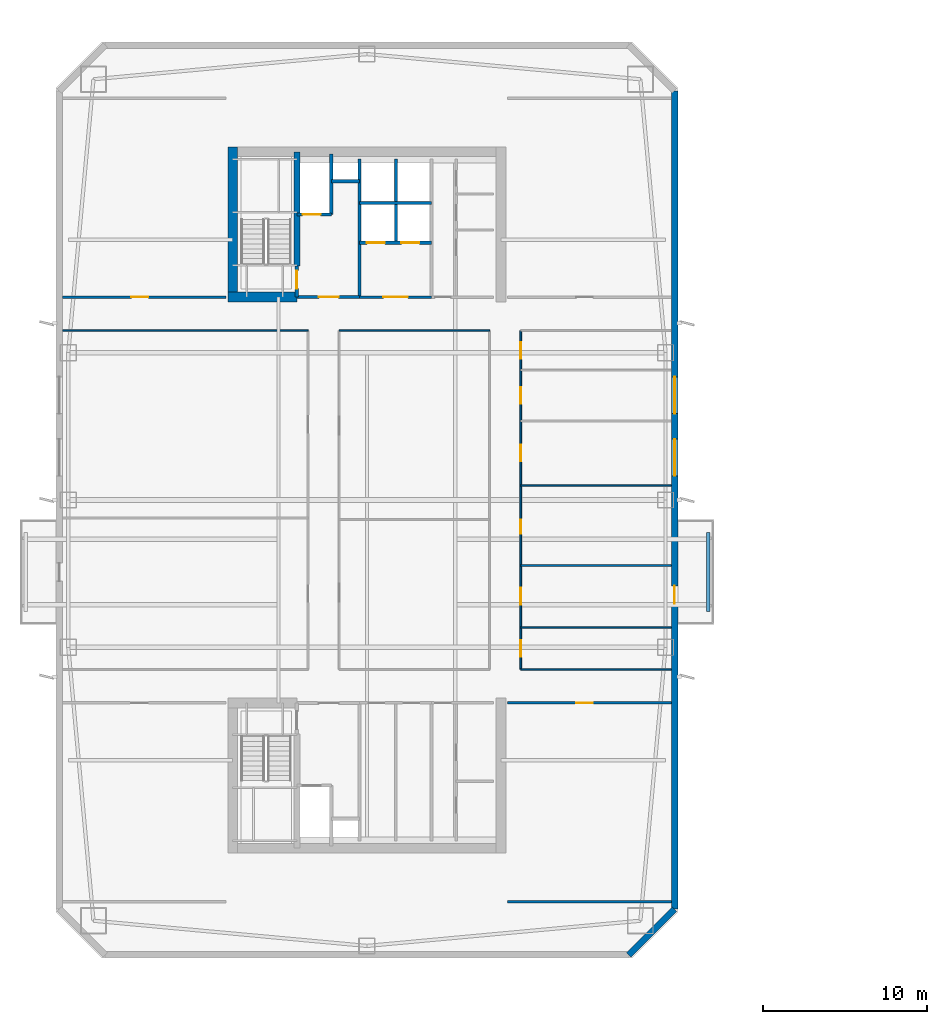
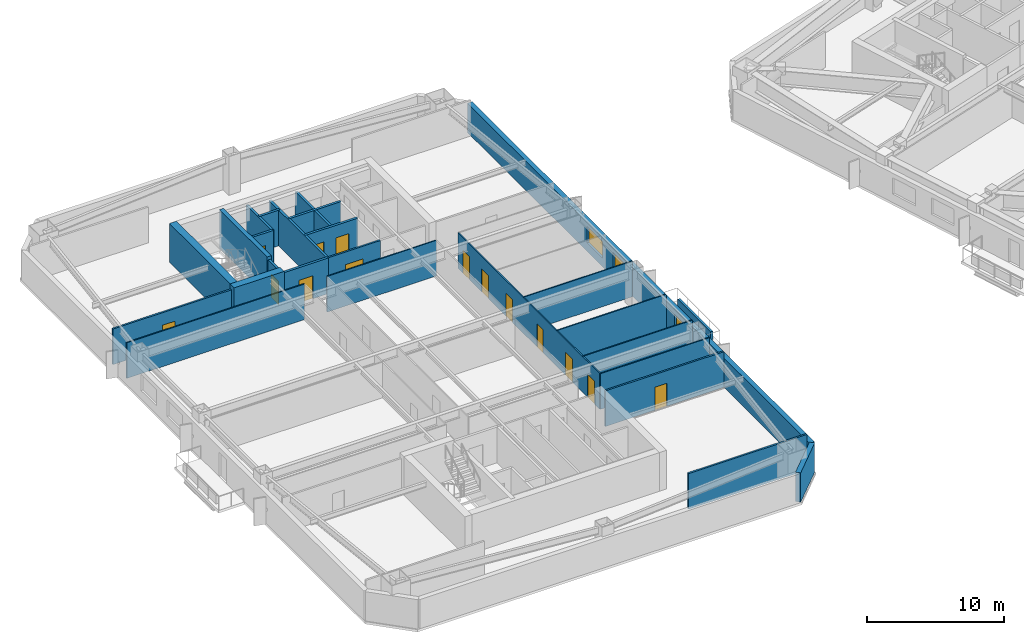
# One storey, part 6 of 17: 26 walls, 15 doors, 2 windows, 17 openings.
"""IFC4 building model written with IfcOpenShell, lengths in metres."""

from ifc_helpers import new_model, si_unit, direction, frame, frame_2d, origin, place, context, subcontext, project, spatial, rectangle, extrude, material, layer, layer_set, type_object, element, fill, save


model = new_model("IFC4")

# Units and contexts
model_context = context("Model", 3, precision=1e-05, world=origin(), true_north=direction((0.0, 1.0)))
body_context = subcontext(model_context, "Body", "Model", "MODEL_VIEW")
ifc_project = project(units=[si_unit("LENGTHUNIT", "METRE"), si_unit("AREAUNIT", "SQUARE_METRE"), si_unit("VOLUMEUNIT", "CUBIC_METRE"), si_unit("PLANEANGLEUNIT", "RADIAN"), si_unit("MASSUNIT", "GRAM", prefix="KILO")], contexts=[model_context])

# Site, building, storey
site_placement = place(None, origin())
site = spatial("IfcSite", under=ifc_project, at=site_placement, CompositionType="ELEMENT")
building_placement = place(site_placement, origin())
building = spatial("IfcBuilding", under=site, at=building_placement, Name="Qiaolan Cultural Towers", CompositionType="ELEMENT")
storey_placement = place(building_placement, frame((0.0, 0.0, 131.10009765625)))
storey = spatial("IfcBuildingStorey", under=building, at=storey_placement, Name="L34", CompositionType="ELEMENT", Elevation=131.10009765625)

# Walls
ifc_material_1 = material(Name="Concrete C50", Category="concrete")
ifc_layer_1 = layer(ifc_material_1, 0.35009765625)
ifc_layer_set_1 = layer_set([ifc_layer_1], Name="Concrete C50")
wall_type_1 = type_object("IfcWallType", Name="WL-CORE-350", PredefinedType="SHEAR", material=ifc_layer_set_1)
wall_1_placement = place(storey_placement, frame((25.719970703125, 48.300048828125, 0.0), z_axis=(0.0, 0.0, 1.0), x_axis=(0.0, 1.0, 0.0)))
element("IfcWall", 1, at=wall_1_placement, inside=storey, type_object=wall_type_1, Name="L34 T1-CN Stair Core Dividing Web", PredefinedType="SHEAR", context=body_context, shape_type="SweptSolid", body=[
    extrude(rectangle(XDim=6.97998046875, YDim=0.35009765625, at=frame_2d((3.489990234375, 0.0))), origin(), (0.0, 0.0, 1.0), 3.449951171875),
])
ifc_material_2 = material(Name="Concrete C55", Category="concrete")
ifc_layer_2 = layer(ifc_material_2, 0.60009765625)
ifc_layer_set_2 = layer_set([ifc_layer_2], Name="Concrete C55")
wall_type_2 = type_object("IfcWallType", Name="WL-CORE-600", PredefinedType="SHEAR", material=ifc_layer_set_2)
wall_2_placement = place(storey_placement, frame((21.800048828125, 46.10009765625, 0.0), z_axis=(0.0, 0.0, 1.0), x_axis=(0.0, 1.0, 0.0)))
element("IfcWall", 2, at=wall_2_placement, inside=storey, type_object=wall_type_2, Name="L34 T1-CN West Core Shear Wall", PredefinedType="SHEAR", context=body_context, shape_type="SweptSolid", body=[
    extrude(rectangle(XDim=9.47998046875, YDim=0.60009765625, at=frame_2d((4.739990234375, 0.0))), origin(), (0.0, 0.0, 1.0), 3.449951171875),
])
wall_3_placement = place(storey_placement, frame((21.5, 46.39990234375, 0.0), z_axis=(0.0, 0.0, 1.0), x_axis=(1.0, 0.0, 0.0)))
element("IfcWall", 3, at=wall_3_placement, inside=storey, type_object=wall_type_2, Name="L34 T1-CN Stair Front Shear Wall", PredefinedType="SHEAR", context=body_context, shape_type="SweptSolid", body=[
    extrude(rectangle(XDim=4.219970703125, YDim=0.60009765625, at=frame_2d((2.10986328125, 0.0))), origin(), (0.0, 0.0, 1.0), 3.449951171875),
])

# Wall, openings, door, windows
ifc_material_3 = material(Name="Precast Concrete C50 Honed Stone Pier", Category="masonry")
ifc_layer_3 = layer(ifc_material_3, 0.39990234375)
ifc_layer_set_3 = layer_set([ifc_layer_3], Name="Precast Concrete C50 Honed Stone Pier")
wall_type_3 = type_object("IfcWallType", Name="WL-EXT-PIER-400", PredefinedType="SOLIDWALL", material=ifc_layer_set_3)
wall_4_placement = place(storey_placement, frame((48.800048828125, 59.0, 0.0), z_axis=(0.0, 0.0, 1.0), x_axis=(0.0, -1.0, 0.0)))
wall_4 = element("IfcWall", 4, at=wall_4_placement, inside=storey, type_object=wall_type_3, Name="L34 West Tower Precast Pier Facade Wall F5", PredefinedType="SOLIDWALL", context=body_context, shape_type="SweptSolid", body=[
    extrude(rectangle(XDim=50.0, YDim=0.39990234375, at=frame_2d((25.0, 0.0))), origin(), (0.0, 0.0, 1.0), 2.60986328125),
])
opening_1_placement = place(wall_4_placement, frame((21.27490234375, 0.0, 0.75)))
opening_1 = element("IfcOpeningElement", 5, at=opening_1_placement, cuts=wall_4, Name="Opening W-03", PredefinedType="OPENING", context=body_context, shape_type="SweptSolid", body=[
    extrude(rectangle(XDim=2.25, YDim=1.4599609375, at=frame_2d((1.125, 0.72998046875))), frame((0.0, 0.2099609375, 0.0), z_axis=(0.0, -1.0, 0.0), x_axis=(1.0, 0.0, 0.0)), (0.0, 0.0, 1.0), 0.419921875),
])
opening_2_placement = place(wall_4_placement, frame((17.47509765625, 0.0, 0.75)))
opening_2 = element("IfcOpeningElement", 6, at=opening_2_placement, cuts=wall_4, Name="Opening W-03", PredefinedType="OPENING", context=body_context, shape_type="SweptSolid", body=[
    extrude(rectangle(XDim=2.25, YDim=1.4599609375, at=frame_2d((1.125, 0.72998046875))), frame((0.0, 0.2099609375, 0.0), z_axis=(0.0, -1.0, 0.0), x_axis=(1.0, 0.0, 0.0)), (0.0, 0.0, 1.0), 0.419921875),
])
opening_3_placement = place(wall_4_placement, frame((30.25, 0.0, 0.0)))
opening_3 = element("IfcOpeningElement", 7, at=opening_3_placement, cuts=wall_4, Name="Opening BD-01", PredefinedType="OPENING", context=body_context, shape_type="SweptSolid", body=[
    extrude(rectangle(XDim=1.10009765625, YDim=2.14990234375, at=frame_2d((0.550048828125, 1.074951171875))), frame((0.0, 0.2099609375, 0.0), z_axis=(0.0, -1.0, 0.0), x_axis=(1.0, 0.0, 0.0)), (0.0, 0.0, 1.0), 0.419921875),
])
ifc_material_4 = material(Name="Thermally Broken Aluminium Glazed Terrace Door", Category="aluminium")
door_type_1 = type_object("IfcDoorType", Name="DR-BAL-1100", OperationType="NOTDEFINED", PredefinedType="DOOR", material=ifc_material_4)
door_1_placement = place(opening_3_placement, origin())
door_1 = element("IfcDoor", 8, at=door_1_placement, inside=storey, type_object=door_type_1, Name="L34 T1 East Tree Balcony Door", OperationType="SINGLE_SWING_RIGHT", OverallHeight=2.14990234375, OverallWidth=1.10009765625, PredefinedType="DOOR", context=body_context, shape_type="SweptSolid", body=[
    extrude(rectangle(XDim=1.10009765625, YDim=2.14990234375, at=frame_2d((0.550048828125, 1.074951171875))), frame((0.0, 0.02490234375, 0.0), z_axis=(0.0, -1.0, 0.0), x_axis=(1.0, 0.0, 0.0)), (0.0, 0.0, 1.0), 0.050048828125),
])
fill(opening_3, door_1)
ifc_material_5 = material(Name="Thermally Broken Aluminium Triple Low-E Glazing", Category="aluminium")
window_type = type_object("IfcWindowType", Name="WN-CHIC-2250", PartitioningType="SINGLE_PANEL", PredefinedType="WINDOW", material=ifc_material_5)
window_1_placement = place(opening_1_placement, origin())
window_1 = element("IfcWindow", 9, at=window_1_placement, inside=storey, type_object=window_type, Name="L34 T1 E Chicago Bay Window 1", OverallHeight=1.4599609375, OverallWidth=2.25, PartitioningType="TRIPLE_PANEL_VERTICAL", PredefinedType="WINDOW", context=body_context, shape_type="SweptSolid", body=[
    extrude(rectangle(XDim=2.25, YDim=1.4599609375, at=frame_2d((1.125, 0.72998046875))), frame((0.0, 0.030029296875, 0.0), z_axis=(0.0, -1.0, 0.0), x_axis=(1.0, 0.0, 0.0)), (0.0, 0.0, 1.0), 0.06005859375),
])
fill(opening_1, window_1)
window_2_placement = place(opening_2_placement, origin())
window_2 = element("IfcWindow", 10, at=window_2_placement, inside=storey, type_object=window_type, Name="L34 T1 E Chicago Bay Window 2", OverallHeight=1.4599609375, OverallWidth=2.25, PartitioningType="TRIPLE_PANEL_VERTICAL", PredefinedType="WINDOW", context=body_context, shape_type="SweptSolid", body=[
    extrude(rectangle(XDim=2.25, YDim=1.4599609375, at=frame_2d((1.125, 0.72998046875))), frame((0.0, 0.030029296875, 0.0), z_axis=(0.0, -1.0, 0.0), x_axis=(1.0, 0.0, 0.0)), (0.0, 0.0, 1.0), 0.06005859375),
])
fill(opening_2, window_2)

# Wall
wall_5_placement = place(storey_placement, frame((48.800048828125, 9.0, 0.0), z_axis=(0.0, 0.0, 1.0), x_axis=(-0.707106781187, -0.707106781187, 0.0)))
element("IfcWall", 11, at=wall_5_placement, inside=storey, type_object=wall_type_3, Name="L34 West Tower Precast Pier Facade Wall F6", PredefinedType="SOLIDWALL", context=body_context, shape_type="SweptSolid", body=[
    extrude(rectangle(XDim=3.9599609375, YDim=0.39990234375, at=frame_2d((1.97998046875, 0.0))), origin(), (0.0, 0.0, 1.0), 2.60986328125),
])

# Wall, opening, door
ifc_material_6 = material(Name="Concrete C35 Fire Wall", Category="concrete")
ifc_layer_4 = layer(ifc_material_6, 0.199951171875)
ifc_layer_set_4 = layer_set([ifc_layer_4], Name="Concrete C35 Fire Wall")
wall_type_4 = type_object("IfcWallType", Name="WL-FIRE-200", PredefinedType="PARTITIONING", material=ifc_layer_set_4)
wall_6_placement = place(storey_placement, frame((25.719970703125, 46.39990234375, 0.0), z_axis=(0.0, 0.0, 1.0), x_axis=(0.0, 1.0, 0.0)))
wall_6 = element("IfcWall", 12, at=wall_6_placement, inside=storey, type_object=wall_type_4, Name="L34 T1-CN Smokeproof Stair Entry Wall", PredefinedType="PARTITIONING", context=body_context, shape_type="SweptSolid", body=[
    extrude(rectangle(XDim=1.900146484375, YDim=0.199951171875, at=frame_2d((0.9501953125, 0.0))), origin(), (0.0, 0.0, 1.0), 3.1748046875),
])
opening_4_placement = place(wall_6_placement, frame((0.52001953125, 0.0, 0.0)))
opening_4 = element("IfcOpeningElement", 13, at=opening_4_placement, cuts=wall_6, Name="Opening FD-04", PredefinedType="OPENING", context=body_context, shape_type="SweptSolid", body=[
    extrude(rectangle(XDim=1.10009765625, YDim=2.050048828125, at=frame_2d((0.550048828125, 1.02490234375))), frame((0.0, 0.10986328125, 0.0), z_axis=(0.0, -1.0, 0.0), x_axis=(1.0, 0.0, 0.0)), (0.0, 0.0, 1.0), 0.219970703125),
])
ifc_material_7 = material(Name="Galvanized Steel Command Fire Door", Category="steel")
door_type_2 = type_object("IfcDoorType", Name="DR-FD90-1100", OperationType="NOTDEFINED", PredefinedType="DOOR", material=ifc_material_7)
door_2_placement = place(opening_4_placement, origin())
door_2 = element("IfcDoor", 14, at=door_2_placement, inside=storey, type_object=door_type_2, Name="L34 ST-W2 Smokeproof Stair Fire Door", OperationType="SINGLE_SWING_LEFT", OverallHeight=2.050048828125, OverallWidth=1.10009765625, PredefinedType="DOOR", context=body_context, shape_type="SweptSolid", body=[
    extrude(rectangle(XDim=1.10009765625, YDim=2.050048828125, at=frame_2d((0.550048828125, 1.02490234375))), frame((0.0, 0.02490234375, 0.0), z_axis=(0.0, -1.0, 0.0), x_axis=(1.0, 0.0, 0.0)), (0.0, 0.0, 1.0), 0.050048828125),
])
fill(opening_4, door_2)

# Wall
wall_7_placement = place(storey_placement, frame((29.550048828125, 46.39990234375, 0.0), z_axis=(0.0, 0.0, 1.0), x_axis=(0.0, 1.0, 0.0)))
element("IfcWall", 15, at=wall_7_placement, inside=storey, type_object=wall_type_4, Name="L34 T1-CN Firefighting Zone Wall", PredefinedType="PARTITIONING", context=body_context, shape_type="SweptSolid", body=[
    extrude(rectangle(XDim=8.43017578125, YDim=0.199951171875, at=frame_2d((4.215087890625, 0.0))), origin(), (0.0, 0.0, 1.0), 3.1748046875),
])

# Wall, opening, door
wall_8_placement = place(storey_placement, frame((25.719970703125, 46.39990234375, 0.0), z_axis=(0.0, 0.0, 1.0), x_axis=(1.0, 0.0, 0.0)))
wall_8 = element("IfcWall", 16, at=wall_8_placement, inside=storey, type_object=wall_type_4, Name="L34 T1-CN Firefighting Lobby Front Wall", PredefinedType="PARTITIONING", context=body_context, shape_type="SweptSolid", body=[
    extrude(rectangle(XDim=3.830078125, YDim=0.199951171875, at=frame_2d((1.9150390625, 0.0))), origin(), (0.0, 0.0, 1.0), 3.1748046875),
])
opening_5_placement = place(wall_8_placement, frame((1.35009765625, 0.0, 0.0)))
opening_5 = element("IfcOpeningElement", 17, at=opening_5_placement, cuts=wall_8, Name="Opening FD-03", PredefinedType="OPENING", context=body_context, shape_type="SweptSolid", body=[
    extrude(rectangle(XDim=1.199951171875, YDim=2.050048828125, at=frame_2d((0.60009765625, 1.02490234375))), frame((0.0, 0.10986328125, 0.0), z_axis=(0.0, -1.0, 0.0), x_axis=(1.0, 0.0, 0.0)), (0.0, 0.0, 1.0), 0.219970703125),
])
ifc_material_8 = material(Name="Galvanized Steel Smokeproof Lobby Fire Door", Category="steel")
door_type_3 = type_object("IfcDoorType", Name="DR-FD90-1200", OperationType="NOTDEFINED", PredefinedType="DOOR", material=ifc_material_8)
door_3_placement = place(opening_5_placement, origin())
door_3 = element("IfcDoor", 18, at=door_3_placement, inside=storey, type_object=door_type_3, Name="L34 FFL-W2 Firefighting Lobby Fire Door", OperationType="SINGLE_SWING_LEFT", OverallHeight=2.050048828125, OverallWidth=1.199951171875, PredefinedType="DOOR", context=body_context, shape_type="SweptSolid", body=[
    extrude(rectangle(XDim=1.199951171875, YDim=2.050048828125, at=frame_2d((0.60009765625, 1.02490234375))), frame((0.0, 0.02490234375, 0.0), z_axis=(0.0, -1.0, 0.0), x_axis=(1.0, 0.0, 0.0)), (0.0, 0.0, 1.0), 0.050048828125),
])
fill(opening_5, door_3)

wall_9_placement = place(storey_placement, frame((25.719970703125, 51.449951171875, 0.0), z_axis=(0.0, 0.0, 1.0), x_axis=(1.0, 0.0, 0.0)))
wall_9 = element("IfcWall", 19, at=wall_9_placement, inside=storey, type_object=wall_type_4, Name="L34 T1-CN Firefighting Shaft Front Wall", PredefinedType="PARTITIONING", context=body_context, shape_type="SweptSolid", body=[
    extrude(rectangle(XDim=2.10009765625, YDim=0.199951171875, at=frame_2d((1.050048828125, 0.0))), origin(), (0.0, 0.0, 1.0), 3.1748046875),
])
opening_6_placement = place(wall_9_placement, frame((0.35009765625, 0.0, 0.0)))
opening_6 = element("IfcOpeningElement", 20, at=opening_6_placement, cuts=wall_9, Name="Opening LD-01", PredefinedType="OPENING", context=body_context, shape_type="SweptSolid", body=[
    extrude(rectangle(XDim=1.10009765625, YDim=2.050048828125, at=frame_2d((0.550048828125, 1.02490234375))), frame((0.0, 0.10986328125, 0.0), z_axis=(0.0, -1.0, 0.0), x_axis=(1.0, 0.0, 0.0)), (0.0, 0.0, 1.0), 0.219970703125),
])
ifc_material_9 = material(Name="Brushed Stainless Steel S30408 Centre-Parting Lift Landing Door", Category="steel")
door_type_4 = type_object("IfcDoorType", Name="DR-LIFT-1100", OperationType="NOTDEFINED", PredefinedType="DOOR", material=ifc_material_9)
door_4_placement = place(opening_6_placement, origin())
door_4 = element("IfcDoor", 21, at=door_4_placement, inside=storey, type_object=door_type_4, Name="L34 FFL-W2 Firefighting Lift Landing Door", OperationType="DOUBLE_DOOR_SLIDING", OverallHeight=2.050048828125, OverallWidth=1.10009765625, PredefinedType="DOOR", context=body_context, shape_type="SweptSolid", body=[
    extrude(rectangle(XDim=1.10009765625, YDim=2.050048828125, at=frame_2d((0.550048828125, 1.02490234375))), frame((0.0, 0.02490234375, 0.0), z_axis=(0.0, -1.0, 0.0), x_axis=(1.0, 0.0, 0.0)), (0.0, 0.0, 1.0), 0.050048828125),
])
fill(opening_6, door_4)

# Walls
wall_10_placement = place(storey_placement, frame((27.820068359375, 51.449951171875, 0.0), z_axis=(0.0, 0.0, 1.0), x_axis=(0.0, 1.0, 0.0)))
element("IfcWall", 22, at=wall_10_placement, inside=storey, type_object=wall_type_4, Name="L34 T1-CN Firefighting Hoistway East Wall", PredefinedType="PARTITIONING", context=body_context, shape_type="SweptSolid", body=[
    extrude(rectangle(XDim=3.699951171875, YDim=0.199951171875, at=frame_2d((1.85009765625, 0.0))), origin(), (0.0, 0.0, 1.0), 3.1748046875),
])
wall_11_placement = place(storey_placement, frame((27.820068359375, 53.47998046875, 0.0), z_axis=(0.0, 0.0, 1.0), x_axis=(1.0, 0.0, 0.0)))
element("IfcWall", 23, at=wall_11_placement, inside=storey, type_object=wall_type_4, Name="L34 T1-CN Pressurization Shaft Front Wall", PredefinedType="PARTITIONING", context=body_context, shape_type="SweptSolid", body=[
    extrude(rectangle(XDim=1.72998046875, YDim=0.199951171875, at=frame_2d((0.864990234375, 0.0))), origin(), (0.0, 0.0, 1.0), 3.1748046875),
])

# Wall, openings, doors
wall_12_placement = place(storey_placement, frame((29.550048828125, 49.719970703125, 0.0), z_axis=(0.0, 0.0, 1.0), x_axis=(1.0, 0.0, 0.0)))
wall_12 = element("IfcWall", 24, at=wall_12_placement, inside=storey, type_object=wall_type_4, Name="L34 T1-CN Passenger Lift Shaft Front Wall", PredefinedType="PARTITIONING", context=body_context, shape_type="SweptSolid", body=[
    extrude(rectangle(XDim=4.39990234375, YDim=0.199951171875, at=frame_2d((2.199951171875, 0.0))), origin(), (0.0, 0.0, 1.0), 3.1748046875),
])
opening_7_placement = place(wall_12_placement, frame((0.449951171875, 0.0, 0.0)))
opening_7 = element("IfcOpeningElement", 25, at=opening_7_placement, cuts=wall_12, Name="Opening LD-01", PredefinedType="OPENING", context=body_context, shape_type="SweptSolid", body=[
    extrude(rectangle(XDim=1.10009765625, YDim=2.050048828125, at=frame_2d((0.550048828125, 1.02490234375))), frame((0.0, 0.10986328125, 0.0), z_axis=(0.0, -1.0, 0.0), x_axis=(1.0, 0.0, 0.0)), (0.0, 0.0, 1.0), 0.219970703125),
])
opening_8_placement = place(wall_12_placement, frame((2.550048828125, 0.0, 0.0)))
opening_8 = element("IfcOpeningElement", 26, at=opening_8_placement, cuts=wall_12, Name="Opening LD-01", PredefinedType="OPENING", context=body_context, shape_type="SweptSolid", body=[
    extrude(rectangle(XDim=1.10009765625, YDim=2.050048828125, at=frame_2d((0.550048828125, 1.02490234375))), frame((0.0, 0.10986328125, 0.0), z_axis=(0.0, -1.0, 0.0), x_axis=(1.0, 0.0, 0.0)), (0.0, 0.0, 1.0), 0.219970703125),
])
door_5_placement = place(opening_7_placement, origin())
door_5 = element("IfcDoor", 27, at=door_5_placement, inside=storey, type_object=door_type_4, Name="L34 Passenger Lift 1 Landing Door", OperationType="DOUBLE_DOOR_SLIDING", OverallHeight=2.050048828125, OverallWidth=1.10009765625, PredefinedType="DOOR", context=body_context, shape_type="SweptSolid", body=[
    extrude(rectangle(XDim=1.10009765625, YDim=2.050048828125, at=frame_2d((0.550048828125, 1.02490234375))), frame((0.0, 0.02490234375, 0.0), z_axis=(0.0, -1.0, 0.0), x_axis=(1.0, 0.0, 0.0)), (0.0, 0.0, 1.0), 0.050048828125),
])
fill(opening_7, door_5)
door_6_placement = place(opening_8_placement, origin())
door_6 = element("IfcDoor", 28, at=door_6_placement, inside=storey, type_object=door_type_4, Name="L34 Passenger Lift 2 Landing Door", OperationType="DOUBLE_DOOR_SLIDING", OverallHeight=2.050048828125, OverallWidth=1.10009765625, PredefinedType="DOOR", context=body_context, shape_type="SweptSolid", body=[
    extrude(rectangle(XDim=1.10009765625, YDim=2.050048828125, at=frame_2d((0.550048828125, 1.02490234375))), frame((0.0, 0.02490234375, 0.0), z_axis=(0.0, -1.0, 0.0), x_axis=(1.0, 0.0, 0.0)), (0.0, 0.0, 1.0), 0.050048828125),
])
fill(opening_8, door_6)

# Walls
wall_13_placement = place(storey_placement, frame((31.780029296875, 49.719970703125, 0.0), z_axis=(0.0, 0.0, 1.0), x_axis=(0.0, 1.0, 0.0)))
element("IfcWall", 29, at=wall_13_placement, inside=storey, type_object=wall_type_4, Name="L34 T1-CN Lift Shaft Divider Wall", PredefinedType="PARTITIONING", context=body_context, shape_type="SweptSolid", body=[
    extrude(rectangle(XDim=5.110107421875, YDim=0.199951171875, at=frame_2d((2.55517578125, 0.0))), origin(), (0.0, 0.0, 1.0), 3.1748046875),
])
wall_14_placement = place(storey_placement, frame((29.550048828125, 52.14990234375, 0.0), z_axis=(0.0, 0.0, 1.0), x_axis=(1.0, 0.0, 0.0)))
element("IfcWall", 30, at=wall_14_placement, inside=storey, type_object=wall_type_4, Name="L34 T1-CN Passenger Lift Shaft Back Wall", PredefinedType="PARTITIONING", context=body_context, shape_type="SweptSolid", body=[
    extrude(rectangle(XDim=4.39990234375, YDim=0.199951171875, at=frame_2d((2.199951171875, 0.0))), origin(), (0.0, 0.0, 1.0), 3.1748046875),
])
ifc_material_10 = material(Name="Acoustic Double-Glazed Partition Frame", Category="glass")
ifc_layer_5 = layer(ifc_material_10, 0.10009765625)
ifc_layer_set_5 = layer_set([ifc_layer_5], Name="Acoustic Double-Glazed Partition Frame")
wall_type_5 = type_object("IfcWallType", Name="WL-GLAZED-100", PredefinedType="MOVABLE", material=ifc_layer_set_5)
wall_15_placement = place(storey_placement, frame((39.39990234375, 23.64990234375, 0.0), z_axis=(0.0, 0.0, 1.0), x_axis=(1.0, 0.0, 0.0)))
element("IfcWall", 31, at=wall_15_placement, inside=storey, type_object=wall_type_5, Name="L34 T1 Interior Wall", PredefinedType="MOVABLE", context=body_context, shape_type="SweptSolid", body=[
    extrude(rectangle(XDim=9.2001953125, YDim=0.10009765625, at=frame_2d((4.60009765625, 0.0))), origin(), (0.0, 0.0, 1.0), 3.1748046875),
])
wall_16_placement = place(storey_placement, frame((11.39990234375, 44.35009765625, 0.0), z_axis=(0.0, 0.0, 1.0), x_axis=(1.0, 0.0, 0.0)))
element("IfcWall", 32, at=wall_16_placement, inside=storey, type_object=wall_type_5, Name="L34 T1 Interior Wall", PredefinedType="MOVABLE", context=body_context, shape_type="SweptSolid", body=[
    extrude(rectangle(XDim=15.0, YDim=0.10009765625, at=frame_2d((7.5, 0.0))), origin(), (0.0, 0.0, 1.0), 3.1748046875),
])
wall_17_placement = place(storey_placement, frame((28.300048828125, 44.35009765625, 0.0), z_axis=(0.0, 0.0, 1.0), x_axis=(1.0, 0.0, 0.0)))
element("IfcWall", 33, at=wall_17_placement, inside=storey, type_object=wall_type_5, Name="L34 T1 Interior Wall", PredefinedType="MOVABLE", context=body_context, shape_type="SweptSolid", body=[
    extrude(rectangle(XDim=9.199951171875, YDim=0.10009765625, at=frame_2d((4.60009765625, 0.0))), origin(), (0.0, 0.0, 1.0), 3.1748046875),
])

# Wall, openings, doors
wall_18_placement = place(storey_placement, frame((39.39990234375, 23.64990234375, 0.0), z_axis=(0.0, 0.0, 1.0), x_axis=(0.0, 1.0, 0.0)))
wall_18 = element("IfcWall", 34, at=wall_18_placement, inside=storey, type_object=wall_type_5, Name="L34 T1 Interior Wall", PredefinedType="MOVABLE", context=body_context, shape_type="SweptSolid", body=[
    extrude(rectangle(XDim=20.7001953125, YDim=0.10009765625, at=frame_2d((10.35009765625, 0.0))), origin(), (0.0, 0.0, 1.0), 3.1748046875),
])
opening_9_placement = place(wall_18_placement, frame((0.77490234375, 0.0, 0.0)))
opening_9 = element("IfcOpeningElement", 35, at=opening_9_placement, cuts=wall_18, Name="Opening ID-04", PredefinedType="OPENING", context=body_context, shape_type="SweptSolid", body=[
    extrude(rectangle(XDim=1.0, YDim=2.050048828125, at=frame_2d((0.5, 1.02490234375))), frame((0.0, 0.06005859375, 0.0), z_axis=(0.0, -1.0, 0.0), x_axis=(1.0, 0.0, 0.0)), (0.0, 0.0, 1.0), 0.1201171875),
])
opening_10_placement = place(wall_18_placement, frame((3.949951171875, 0.0, 0.0)))
opening_10 = element("IfcOpeningElement", 36, at=opening_10_placement, cuts=wall_18, Name="Opening ID-07", PredefinedType="OPENING", context=body_context, shape_type="SweptSolid", body=[
    extrude(rectangle(XDim=1.050048828125, YDim=2.050048828125, at=frame_2d((0.52490234375, 1.02490234375))), frame((0.0, 0.06005859375, 0.0), z_axis=(0.0, -1.0, 0.0), x_axis=(1.0, 0.0, 0.0)), (0.0, 0.0, 1.0), 0.1201171875),
])
opening_11_placement = place(wall_18_placement, frame((8.298095703125, 0.0, 0.0)))
opening_11 = element("IfcOpeningElement", 37, at=opening_11_placement, cuts=wall_18, Name="Opening ID-09", PredefinedType="OPENING", context=body_context, shape_type="SweptSolid", body=[
    extrude(rectangle(XDim=0.85009765625, YDim=2.050048828125, at=frame_2d((0.425048828125, 1.02490234375))), frame((0.0, 0.06005859375, 0.0), z_axis=(0.0, -1.0, 0.0), x_axis=(1.0, 0.0, 0.0)), (0.0, 0.0, 1.0), 0.1201171875),
])
opening_12_placement = place(wall_18_placement, frame((12.71240234375, 0.0, 0.0)))
opening_12 = element("IfcOpeningElement", 38, at=opening_12_placement, cuts=wall_18, Name="Opening ID-04", PredefinedType="OPENING", context=body_context, shape_type="SweptSolid", body=[
    extrude(rectangle(XDim=1.0, YDim=2.050048828125, at=frame_2d((0.5, 1.02490234375))), frame((0.0, 0.06005859375, 0.0), z_axis=(0.0, -1.0, 0.0), x_axis=(1.0, 0.0, 0.0)), (0.0, 0.0, 1.0), 0.1201171875),
])
opening_13_placement = place(wall_18_placement, frame((16.2314453125, 0.0, 0.0)))
opening_13 = element("IfcOpeningElement", 39, at=opening_13_placement, cuts=wall_18, Name="Opening ID-04", PredefinedType="OPENING", context=body_context, shape_type="SweptSolid", body=[
    extrude(rectangle(XDim=1.0, YDim=2.050048828125, at=frame_2d((0.5, 1.02490234375))), frame((0.0, 0.06005859375, 0.0), z_axis=(0.0, -1.0, 0.0), x_axis=(1.0, 0.0, 0.0)), (0.0, 0.0, 1.0), 0.1201171875),
])
opening_14_placement = place(wall_18_placement, frame((18.991943359375, 0.0, 0.0)))
opening_14 = element("IfcOpeningElement", 40, at=opening_14_placement, cuts=wall_18, Name="Opening ID-04", PredefinedType="OPENING", context=body_context, shape_type="SweptSolid", body=[
    extrude(rectangle(XDim=1.0, YDim=2.050048828125, at=frame_2d((0.5, 1.02490234375))), frame((0.0, 0.06005859375, 0.0), z_axis=(0.0, -1.0, 0.0), x_axis=(1.0, 0.0, 0.0)), (0.0, 0.0, 1.0), 0.1201171875),
])
ifc_material_11 = material(Name="Oak Veneer Acoustic Office Door", Category="timber")
door_type_5 = type_object("IfcDoorType", Name="DR-INT-1000", OperationType="NOTDEFINED", PredefinedType="DOOR", material=ifc_material_11)
door_7_placement = place(opening_9_placement, origin())
door_7 = element("IfcDoor", 41, at=door_7_placement, inside=storey, type_object=door_type_5, Name="L34 T1 Staff Dining Kitchen Door", OperationType="SINGLE_SWING_RIGHT", OverallHeight=2.050048828125, OverallWidth=1.0, PredefinedType="DOOR", context=body_context, shape_type="SweptSolid", body=[
    extrude(rectangle(XDim=1.0, YDim=2.050048828125, at=frame_2d((0.5, 1.02490234375))), frame((0.0, 0.02490234375, 0.0), z_axis=(0.0, -1.0, 0.0), x_axis=(1.0, 0.0, 0.0)), (0.0, 0.0, 1.0), 0.050048828125),
])
fill(opening_9, door_7)
door_8_placement = place(opening_12_placement, origin())
door_8 = element("IfcDoor", 42, at=door_8_placement, inside=storey, type_object=door_type_5, Name="L34 T1 Recreation Lounge Door", OperationType="SINGLE_SWING_LEFT", OverallHeight=2.050048828125, OverallWidth=1.0, PredefinedType="DOOR", context=body_context, shape_type="SweptSolid", body=[
    extrude(rectangle(XDim=1.0, YDim=2.050048828125, at=frame_2d((0.5, 1.02490234375))), frame((0.0, 0.02490234375, 0.0), z_axis=(0.0, -1.0, 0.0), x_axis=(1.0, 0.0, 0.0)), (0.0, 0.0, 1.0), 0.050048828125),
])
fill(opening_12, door_8)
door_9_placement = place(opening_13_placement, origin())
door_9 = element("IfcDoor", 43, at=door_9_placement, inside=storey, type_object=door_type_5, Name="L34 T1 Staff Dining Kitchen Door", OperationType="SINGLE_SWING_RIGHT", OverallHeight=2.050048828125, OverallWidth=1.0, PredefinedType="DOOR", context=body_context, shape_type="SweptSolid", body=[
    extrude(rectangle(XDim=1.0, YDim=2.050048828125, at=frame_2d((0.5, 1.02490234375))), frame((0.0, 0.02490234375, 0.0), z_axis=(0.0, -1.0, 0.0), x_axis=(1.0, 0.0, 0.0)), (0.0, 0.0, 1.0), 0.050048828125),
])
fill(opening_13, door_9)
door_10_placement = place(opening_14_placement, origin())
door_10 = element("IfcDoor", 44, at=door_10_placement, inside=storey, type_object=door_type_5, Name="L34 T1 Staff Dining Kitchen Door", OperationType="SINGLE_SWING_LEFT", OverallHeight=2.050048828125, OverallWidth=1.0, PredefinedType="DOOR", context=body_context, shape_type="SweptSolid", body=[
    extrude(rectangle(XDim=1.0, YDim=2.050048828125, at=frame_2d((0.5, 1.02490234375))), frame((0.0, 0.02490234375, 0.0), z_axis=(0.0, -1.0, 0.0), x_axis=(1.0, 0.0, 0.0)), (0.0, 0.0, 1.0), 0.050048828125),
])
fill(opening_14, door_10)
ifc_material_12 = material(Name="Oak Veneer Consultation Door", Category="timber")
door_type_6 = type_object("IfcDoorType", Name="DR-INT-1050", OperationType="NOTDEFINED", PredefinedType="DOOR", material=ifc_material_12)
door_11_placement = place(opening_10_placement, origin())
door_11 = element("IfcDoor", 45, at=door_11_placement, inside=storey, type_object=door_type_6, Name="L34 T1 Staff Dining Kitchen Door", OperationType="SINGLE_SWING_LEFT", OverallHeight=2.050048828125, OverallWidth=1.050048828125, PredefinedType="DOOR", context=body_context, shape_type="SweptSolid", body=[
    extrude(rectangle(XDim=1.050048828125, YDim=2.050048828125, at=frame_2d((0.52490234375, 1.02490234375))), frame((0.0, 0.02490234375, 0.0), z_axis=(0.0, -1.0, 0.0), x_axis=(1.0, 0.0, 0.0)), (0.0, 0.0, 1.0), 0.050048828125),
])
fill(opening_10, door_11)
ifc_material_13 = material(Name="Moisture-Resistant Laminate Utility Door", Category="timber")
door_type_7 = type_object("IfcDoorType", Name="DR-INT-850", OperationType="NOTDEFINED", PredefinedType="DOOR", material=ifc_material_13)
door_12_placement = place(opening_11_placement, origin())
door_12 = element("IfcDoor", 46, at=door_12_placement, inside=storey, type_object=door_type_7, Name="L34 T1 Staff Dining Kitchen Door", OperationType="SINGLE_SWING_RIGHT", OverallHeight=2.050048828125, OverallWidth=0.85009765625, PredefinedType="DOOR", context=body_context, shape_type="SweptSolid", body=[
    extrude(rectangle(XDim=0.85009765625, YDim=2.050048828125, at=frame_2d((0.425048828125, 1.02490234375))), frame((0.0, 0.02490234375, 0.0), z_axis=(0.0, -1.0, 0.0), x_axis=(1.0, 0.0, 0.0)), (0.0, 0.0, 1.0), 0.050048828125),
])
fill(opening_11, door_12)

# Walls
for number, where, z_axis, x_axis, name in (
    (47, (39.39990234375, 26.199951171875, 0.0), (0.0, 0.0, 1.0), (1.0, 0.0, 0.0), "L34 T1 Interior Wall"),
    (48, (39.39990234375, 30.0, 0.0), (0.0, 0.0, 1.0), (1.0, 0.0, 0.0), "L34 T1 Interior Wall"),
    (49, (39.39990234375, 34.89599609375, 0.0), (0.0, 0.0, 1.0), (1.0, 0.0, 0.0), "L34 T1 Interior Wall"),
):
    element("IfcWall", number, at=place(storey_placement, frame(where, z_axis=z_axis, x_axis=x_axis)), inside=storey, type_object=wall_type_5, Name=name, PredefinedType="MOVABLE", context=body_context, shape_type="SweptSolid", body=[
        extrude(rectangle(XDim=9.2001953125, YDim=0.10009765625, at=frame_2d((4.60009765625, 0.0))), origin(), (0.0, 0.0, 1.0), 3.1748046875),
    ])

# Wall, opening, door
ifc_material_14 = material(Name="Autoclaved Aerated Concrete Block B06", Category="concrete")
ifc_layer_6 = layer(ifc_material_14, 0.14990234375)
ifc_layer_set_6 = layer_set([ifc_layer_6], Name="Autoclaved Aerated Concrete Block B06")
wall_type_6 = type_object("IfcWallType", Name="WL-PART-150", PredefinedType="PARTITIONING", material=ifc_layer_set_6)
wall_19_placement = place(storey_placement, frame((29.550048828125, 46.39990234375, 0.0), z_axis=(0.0, 0.0, 1.0), x_axis=(1.0, 0.0, 0.0)))
wall_19 = element("IfcWall", 50, at=wall_19_placement, inside=storey, type_object=wall_type_6, Name="L34 T1-CN Passenger Lift Lobby Front Wall", PredefinedType="PARTITIONING", context=body_context, shape_type="SweptSolid", body=[
    extrude(rectangle(XDim=4.39990234375, YDim=0.14990234375, at=frame_2d((2.199951171875, 0.0))), origin(), (0.0, 0.0, 1.0), 3.1748046875),
])
opening_15_placement = place(wall_19_placement, frame((1.449951171875, 0.0, 0.0)))
opening_15 = element("IfcOpeningElement", 51, at=opening_15_placement, cuts=wall_19, Name="Opening FD-05", PredefinedType="OPENING", context=body_context, shape_type="SweptSolid", body=[
    extrude(rectangle(XDim=1.5, YDim=2.050048828125, at=frame_2d((0.75, 1.02490234375))), frame((0.0, 0.0849609375, 0.0), z_axis=(0.0, -1.0, 0.0), x_axis=(1.0, 0.0, 0.0)), (0.0, 0.0, 1.0), 0.169921875),
])
ifc_material_15 = material(Name="Painted Steel Lift Lobby Fire Door", Category="steel")
door_type_8 = type_object("IfcDoorType", Name="DR-FD60-1500", OperationType="NOTDEFINED", PredefinedType="DOOR", material=ifc_material_15)
door_13_placement = place(opening_15_placement, origin())
door_13 = element("IfcDoor", 52, at=door_13_placement, inside=storey, type_object=door_type_8, Name="L34 Passenger Lift Lobby Entrance", OperationType="SINGLE_SWING_LEFT", OverallHeight=2.050048828125, OverallWidth=1.5, PredefinedType="DOOR", context=body_context, shape_type="SweptSolid", body=[
    extrude(rectangle(XDim=1.5, YDim=2.050048828125, at=frame_2d((0.75, 1.02490234375))), frame((0.0, 0.02490234375, 0.0), z_axis=(0.0, -1.0, 0.0), x_axis=(1.0, 0.0, 0.0)), (0.0, 0.0, 1.0), 0.050048828125),
])
fill(opening_15, door_13)

# Wall
wall_20_placement = place(storey_placement, frame((38.60009765625, 9.449951171875, 0.0), z_axis=(0.0, 0.0, 1.0), x_axis=(1.0, 0.0, 0.0)))
element("IfcWall", 53, at=wall_20_placement, inside=storey, type_object=wall_type_6, Name="L34 T1 Flank Wall FLK-SE", PredefinedType="PARTITIONING", context=body_context, shape_type="SweptSolid", body=[
    extrude(rectangle(XDim=10.0, YDim=0.14990234375, at=frame_2d((5.0, 0.0))), origin(), (0.0, 0.0, 1.0), 3.1748046875),
])

# Wall, opening, door
wall_21_placement = place(storey_placement, frame((38.60009765625, 21.60009765625, 0.0), z_axis=(0.0, 0.0, 1.0), x_axis=(1.0, 0.0, 0.0)))
wall_21 = element("IfcWall", 54, at=wall_21_placement, inside=storey, type_object=wall_type_6, Name="L34 T1 Flank Front FLK-SE", PredefinedType="PARTITIONING", context=body_context, shape_type="SweptSolid", body=[
    extrude(rectangle(XDim=10.0, YDim=0.14990234375, at=frame_2d((5.0, 0.0))), origin(), (0.0, 0.0, 1.0), 3.1748046875),
])
opening_16_placement = place(wall_21_placement, frame((4.199951171875, 0.0, 0.0)))
opening_16 = element("IfcOpeningElement", 55, at=opening_16_placement, cuts=wall_21, Name="Opening ID-04", PredefinedType="OPENING", context=body_context, shape_type="SweptSolid", body=[
    extrude(rectangle(XDim=1.0, YDim=2.050048828125, at=frame_2d((0.5, 1.02490234375))), frame((0.0, 0.0849609375, 0.0), z_axis=(0.0, -1.0, 0.0), x_axis=(1.0, 0.0, 0.0)), (0.0, 0.0, 1.0), 0.169921875),
])
door_14_placement = place(opening_16_placement, origin())
door_14 = element("IfcDoor", 56, at=door_14_placement, inside=storey, type_object=door_type_5, Name="L34 T1 Corner Studio Door", OperationType="SINGLE_SWING_LEFT", OverallHeight=2.050048828125, OverallWidth=1.0, PredefinedType="DOOR", context=body_context, shape_type="SweptSolid", body=[
    extrude(rectangle(XDim=1.0, YDim=2.050048828125, at=frame_2d((0.5, 1.02490234375))), frame((0.0, 0.02490234375, 0.0), z_axis=(0.0, -1.0, 0.0), x_axis=(1.0, 0.0, 0.0)), (0.0, 0.0, 1.0), 0.050048828125),
])
fill(opening_16, door_14)

wall_22_placement = place(storey_placement, frame((11.39990234375, 46.39990234375, 0.0), z_axis=(0.0, 0.0, 1.0), x_axis=(1.0, 0.0, 0.0)))
wall_22 = element("IfcWall", 57, at=wall_22_placement, inside=storey, type_object=wall_type_6, Name="L34 T1 Flank Front FLK-NW", PredefinedType="PARTITIONING", context=body_context, shape_type="SweptSolid", body=[
    extrude(rectangle(XDim=10.0, YDim=0.14990234375, at=frame_2d((5.0, 0.0))), origin(), (0.0, 0.0, 1.0), 3.1748046875),
])
opening_17_placement = place(wall_22_placement, frame((4.199951171875, 0.0, 0.0)))
opening_17 = element("IfcOpeningElement", 58, at=opening_17_placement, cuts=wall_22, Name="Opening ID-07", PredefinedType="OPENING", context=body_context, shape_type="SweptSolid", body=[
    extrude(rectangle(XDim=1.050048828125, YDim=2.050048828125, at=frame_2d((0.52490234375, 1.02490234375))), frame((0.0, 0.0849609375, 0.0), z_axis=(0.0, -1.0, 0.0), x_axis=(1.0, 0.0, 0.0)), (0.0, 0.0, 1.0), 0.169921875),
])
door_15_placement = place(opening_17_placement, origin())
door_15 = element("IfcDoor", 59, at=door_15_placement, inside=storey, type_object=door_type_6, Name="L34 T1 Corner Studio Door", OperationType="SINGLE_SWING_LEFT", OverallHeight=2.050048828125, OverallWidth=1.050048828125, PredefinedType="DOOR", context=body_context, shape_type="SweptSolid", body=[
    extrude(rectangle(XDim=1.050048828125, YDim=2.050048828125, at=frame_2d((0.52490234375, 1.02490234375))), frame((0.0, 0.02490234375, 0.0), z_axis=(0.0, -1.0, 0.0), x_axis=(1.0, 0.0, 0.0)), (0.0, 0.0, 1.0), 0.050048828125),
])
fill(opening_17, door_15)

# Wall
ifc_material_16 = material(Name="Precast Concrete C45 Tree Planter Upstand", Category="concrete")
ifc_layer_7 = layer(ifc_material_16, 0.199951171875)
ifc_layer_set_7 = layer_set([ifc_layer_7], Name="Precast Concrete C45 Tree Planter Upstand")
wall_type_7 = type_object("IfcWallType", Name="WL-PLANTER-200", PredefinedType="PARAPET", material=ifc_layer_set_7)
wall_23_placement = place(storey_placement, frame((50.85009765625, 27.199951171875, 0.0), z_axis=(0.0, 0.0, 1.0), x_axis=(0.0, 1.0, 0.0)))
element("IfcWall", 60, at=wall_23_placement, inside=storey, type_object=wall_type_7, Name="L34 T1 Tree Balcony Soil Planter Box E", PredefinedType="PARAPET", context=body_context, shape_type="SweptSolid", body=[
    extrude(rectangle(XDim=4.800048828125, YDim=0.199951171875, at=frame_2d((2.39990234375, 0.0))), origin(), (0.0, 0.0, 1.0), 0.75),
])

save(model, "model.ifc")
